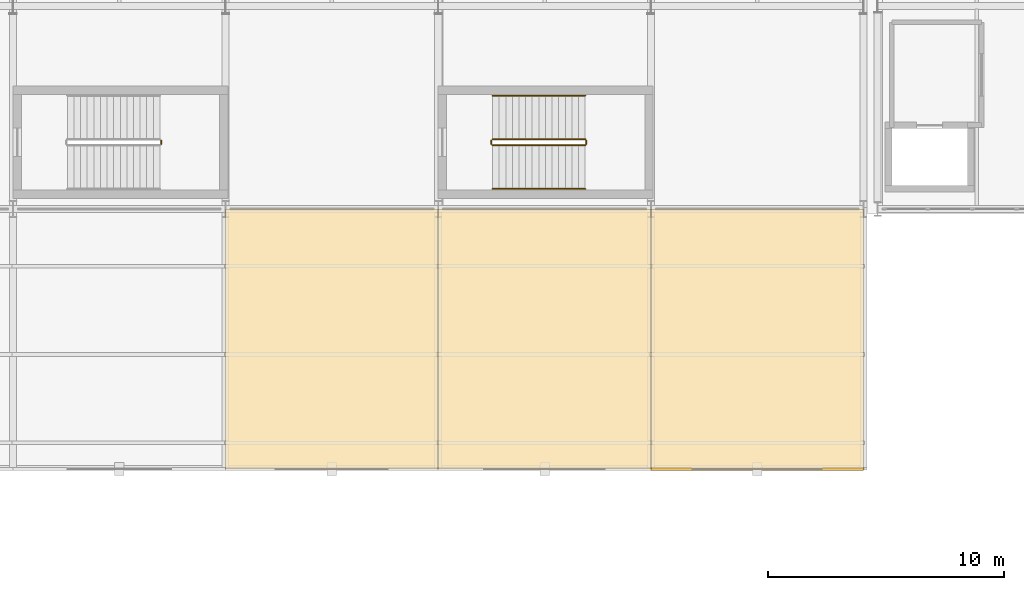
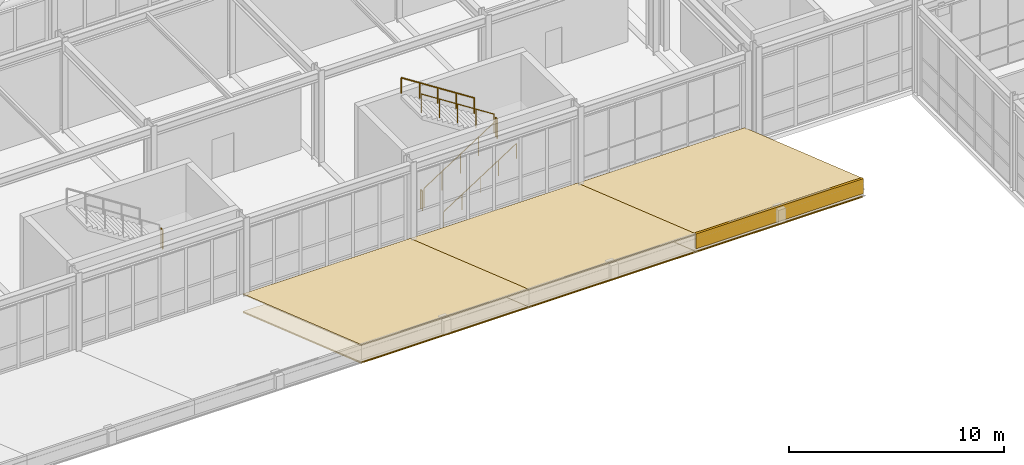
# One storey, part 224 of 239: 10 coverings, 7 railings.
"""IFC4 building model written with IfcOpenShell, lengths in metres."""

from ifc_helpers import new_model, si_unit, direction, frame, origin, origin_2d, place, context, subcontext, project, spatial, polyline, rectangle, circle, outline, extrude, material, layer, layer_set, type_object, element, save


model = new_model("IFC4")

# Units and contexts
model_context = context("Model", 3, precision=1e-05, world=origin(), true_north=direction((0.0, 1.0)))
body_context = subcontext(model_context, "Body", "Model", "MODEL_VIEW")
ifc_project = project(units=[si_unit("LENGTHUNIT", "METRE"), si_unit("AREAUNIT", "SQUARE_METRE"), si_unit("VOLUMEUNIT", "CUBIC_METRE"), si_unit("PLANEANGLEUNIT", "RADIAN"), si_unit("MASSUNIT", "GRAM", prefix="KILO")], contexts=[model_context])

# Site, building, storey
site_placement = place(None, origin())
site = spatial("IfcSite", under=ifc_project, at=site_placement, CompositionType="ELEMENT")
building_placement = place(site_placement, origin())
building = spatial("IfcBuilding", under=site, at=building_placement, Name="Kaldris Quays Convention Centre", CompositionType="ELEMENT")
storey_placement = place(building_placement, frame((0.0, 0.0, 11.39990234375)))
storey = spatial("IfcBuildingStorey", under=building, at=storey_placement, Name="L02", CompositionType="ELEMENT", Elevation=11.39990234375)

# Coverings
ifc_material_1 = material(Name="Alabaster white star-pierced anodized aluminium panel", Category="aluminium")
ifc_layer_1 = layer(ifc_material_1, 0.054931640625)
ifc_layer_set_1 = layer_set([ifc_layer_1], Name="Alabaster white star-pierced anodized aluminium panel")
covering_type_1 = type_object("IfcCoveringType", Name="ALABASTER WHITE STANDING SEAM ROOF SRF1", PredefinedType="ROOFING", material=ifc_layer_set_1)
for number, where, z_axis, x_axis, name in (
    (1, (119.0, 27.0, 4.642578125), (0.0, 0.325567686474, 0.945518736739), (1.0, 0.0, 0.0), "WR-SOUTH-ENTRY Alabaster White Raised Wing Top Cladding 14"),
    (2, (128.0, 27.0, 4.642578125), (0.0, 0.325567686474, 0.945518736739), (1.0, 0.0, 0.0), "WR-SOUTH-ENTRY Alabaster White Raised Wing Top Cladding 15"),
    (3, (137.0, 27.0, 4.642578125), (0.0, 0.325567686474, 0.945518736739), (1.0, 0.0, 0.0), "WR-SOUTH-ENTRY Alabaster White Raised Wing Top Cladding 16"),
):
    element("IfcCovering", number, at=place(storey_placement, frame(where, z_axis=z_axis, x_axis=x_axis)), inside=storey, type_object=covering_type_1, Name=name, PredefinedType="ROOFING", context=body_context, shape_type="SweptSolid", body=[
        extrude(outline(polyline([(0.0, 0.0), (9.0, 0.0), (9.0, 11.633825510365472), (0.0, 11.633825510365472), (0.0, 0.0)])), origin(), (0.0, 0.0, -1.0), 0.054931640625),
    ])
ifc_material_2 = material(Name="Glulam GL28h", Category="wood")
ifc_layer_2 = layer(ifc_material_2, 0.0400390625)
ifc_layer_set_2 = layer_set([ifc_layer_2], Name="Glulam GL28h")
covering_type_2 = type_object("IfcCoveringType", Name="GLULAM WING SOFFIT TRIM SF02", PredefinedType="CEILING", material=ifc_layer_set_2)
for number, where, z_axis, x_axis, name in (
    (4, (119.0, 27.0, 3.600341796875), (0.0, 0.325567686474, 0.945518736739), (1.0, 0.0, 0.0), "WR-SOUTH-ENTRY Glulam GL28h Wing Soffit Trim 14"),
    (5, (128.0, 27.0, 3.600341796875), (0.0, 0.325567686474, 0.945518736739), (1.0, 0.0, 0.0), "WR-SOUTH-ENTRY Glulam GL28h Wing Soffit Trim 15"),
    (6, (137.0, 27.0, 3.600341796875), (0.0, 0.325567686474, 0.945518736739), (1.0, 0.0, 0.0), "WR-SOUTH-ENTRY Glulam GL28h Wing Soffit Trim 16"),
):
    element("IfcCovering", number, at=place(storey_placement, frame(where, z_axis=z_axis, x_axis=x_axis)), inside=storey, type_object=covering_type_2, Name=name, PredefinedType="CEILING", context=body_context, shape_type="SweptSolid", body=[
        extrude(outline(polyline([(0.0, 0.0), (9.0, 0.0), (9.0, 11.633825510365472), (0.0, 11.633825510365472), (0.0, 0.0)])), origin(), (0.0, 0.0, -1.0), 0.0400390625),
    ])

# Railings
ifc_material_3 = material(Name="Steel S355J2", Category="steel")
railing_type_1 = type_object("IfcRailingType", Name="INTERIOR GUARDRAIL GR01", PredefinedType="GUARDRAIL", material=ifc_material_3)
railing_1_placement = place(storey_placement, frame((130.300048828125, 40.699951171875, 0.18017578125)))
element("IfcRailing", 7, at=railing_1_placement, inside=storey, type_object=railing_type_1, Name="L02 ST12 Stair Guardrail 1", PredefinedType="GUARDRAIL", context=body_context, shape_type="SweptSolid", body=[
    extrude(circle(Radius=0.02392578125, at=origin_2d()), frame((0.0, 0.0, 1.076171875), z_axis=(0.841171666519, 0.0, 0.540768182723), x_axis=(0.0, 1.0, 0.0)), (0.0, 0.0, 1.0), 4.66015625),
    extrude(circle(Radius=0.02099609375, at=origin_2d()), origin(), (0.0, 0.0, 1.0), 1.052001953125),
    extrude(circle(Radius=0.02099609375, at=origin_2d()), frame((0.97998046875, 0.0, 0.6298828125)), (0.0, 0.0, 1.0), 1.052001953125),
    extrude(circle(Radius=0.02099609375, at=origin_2d()), frame((1.9599609375, 0.0, 1.260009765625)), (0.0, 0.0, 1.0), 1.052001953125),
    extrude(circle(Radius=0.02099609375, at=origin_2d()), frame((2.93994140625, 0.0, 1.89013671875)), (0.0, 0.0, 1.0), 1.052001953125),
    extrude(circle(Radius=0.02099609375, at=origin_2d()), frame((3.919921875, 0.0, 2.52001953125)), (0.0, 0.0, 1.0), 1.052001953125),
])
railing_2_placement = place(storey_placement, frame((134.27001953125, 40.75, 2.7001953125)))
element("IfcRailing", 8, at=railing_2_placement, inside=storey, type_object=railing_type_1, Name="L02 ST12 Stair Guardrail 2", PredefinedType="GUARDRAIL", context=body_context, shape_type="SweptSolid", body=[
    extrude(circle(Radius=0.02392578125, at=origin_2d()), frame((0.0, 0.0, 1.076171875), z_axis=(0.0, 1.0, 0.0), x_axis=(-1.0, 0.0, 0.0)), (0.0, 0.0, 1.0), 0.14990234375),
    extrude(circle(Radius=0.02099609375, at=origin_2d()), origin(), (0.0, 0.0, 1.0), 1.052001953125),
    extrude(circle(Radius=0.02099609375, at=origin_2d()), frame((0.0, 0.14990234375, 0.0)), (0.0, 0.0, 1.0), 1.052001953125),
])
railing_3_placement = place(storey_placement, frame((134.219970703125, 40.949951171875, 2.880126953125)))
element("IfcRailing", 9, at=railing_3_placement, inside=storey, type_object=railing_type_1, Name="L02 ST12 Stair Guardrail 3", PredefinedType="GUARDRAIL", context=body_context, shape_type="SweptSolid", body=[
    extrude(circle(Radius=0.02392578125, at=origin_2d()), frame((0.0, 0.0, 1.076171875), z_axis=(-0.841171666519, 0.0, 0.540768182723), x_axis=(0.0, -1.0, 0.0)), (0.0, 0.0, 1.0), 4.66015625),
    extrude(circle(Radius=0.02099609375, at=origin_2d()), origin(), (0.0, 0.0, 1.0), 1.052001953125),
    extrude(circle(Radius=0.02099609375, at=origin_2d()), frame((-0.97998046875, 0.0, 0.6298828125)), (0.0, 0.0, 1.0), 1.052001953125),
    extrude(circle(Radius=0.02099609375, at=origin_2d()), frame((-1.9599609375, 0.0, 1.260009765625)), (0.0, 0.0, 1.0), 1.052001953125),
    extrude(circle(Radius=0.02099609375, at=origin_2d()), frame((-2.93994140625, 0.0, 1.89013671875)), (0.0, 0.0, 1.0), 1.052001953125),
    extrude(circle(Radius=0.02099609375, at=origin_2d()), frame((-3.919921875, 0.0, 2.52001953125)), (0.0, 0.0, 1.0), 1.052001953125),
])
for number, where, name in (
    (10, (130.25, 40.75, 0.0), "L02 ST12 Stair Guardrail 4"),
    (11, (116.27001953125, 40.75, 2.7001953125), "L02 ST13 Stair Guardrail 2"),
):
    element("IfcRailing", number, at=place(storey_placement, frame(where)), inside=storey, type_object=railing_type_1, Name=name, PredefinedType="GUARDRAIL", context=body_context, shape_type="SweptSolid", body=[
        extrude(circle(Radius=0.02392578125, at=origin_2d()), frame((0.0, 0.0, 1.076171875), z_axis=(0.0, 1.0, 0.0), x_axis=(-1.0, 0.0, 0.0)), (0.0, 0.0, 1.0), 0.14990234375),
        extrude(circle(Radius=0.02099609375, at=origin_2d()), origin(), (0.0, 0.0, 1.0), 1.052001953125),
        extrude(circle(Radius=0.02099609375, at=origin_2d()), frame((0.0, 0.14990234375, 0.0)), (0.0, 0.0, 1.0), 1.052001953125),
    ])
ifc_material_4 = material(Name="Stainless steel 1.4301", Category="steel")
railing_type_2 = type_object("IfcRailingType", Name="STAIR HANDRAIL HR01", PredefinedType="HANDRAIL", material=ifc_material_4)
railing_4_placement = place(storey_placement, frame((130.300048828125, 38.85009765625, 0.18017578125)))
element("IfcRailing", 12, at=railing_4_placement, inside=storey, type_object=railing_type_2, Name="L02 ST12 Flight Handrail 1", PredefinedType="HANDRAIL", context=body_context, shape_type="SweptSolid", body=[
    extrude(circle(Radius=0.02392578125, at=origin_2d()), frame((0.0, 0.0, 0.8759765625), z_axis=(0.841171666519, 0.0, 0.540768182723), x_axis=(0.0, 1.0, 0.0)), (0.0, 0.0, 1.0), 4.66015625),
    extrude(circle(Radius=0.02099609375, at=origin_2d()), origin(), (0.0, 0.0, 1.0), 0.851806640625),
    extrude(circle(Radius=0.02099609375, at=origin_2d()), frame((0.97998046875, 0.0, 0.6298828125)), (0.0, 0.0, 1.0), 0.851806640625),
    extrude(circle(Radius=0.02099609375, at=origin_2d()), frame((1.9599609375, 0.0, 1.260009765625)), (0.0, 0.0, 1.0), 0.851806640625),
    extrude(circle(Radius=0.02099609375, at=origin_2d()), frame((2.93994140625, 0.0, 1.89013671875)), (0.0, 0.0, 1.0), 0.851806640625),
    extrude(circle(Radius=0.02099609375, at=origin_2d()), frame((3.919921875, 0.0, 2.52001953125)), (0.0, 0.0, 1.0), 0.851806640625),
])
railing_5_placement = place(storey_placement, frame((134.219970703125, 42.800048828125, 2.880126953125)))
element("IfcRailing", 13, at=railing_5_placement, inside=storey, type_object=railing_type_2, Name="L02 ST12 Flight Handrail 2", PredefinedType="HANDRAIL", context=body_context, shape_type="SweptSolid", body=[
    extrude(circle(Radius=0.02392578125, at=origin_2d()), frame((0.0, 0.0, 0.8759765625), z_axis=(-0.841171666519, 0.0, 0.540768182723), x_axis=(0.0, -1.0, 0.0)), (0.0, 0.0, 1.0), 4.66015625),
    extrude(circle(Radius=0.02099609375, at=origin_2d()), origin(), (0.0, 0.0, 1.0), 0.851806640625),
    extrude(circle(Radius=0.02099609375, at=origin_2d()), frame((-0.97998046875, 0.0, 0.6298828125)), (0.0, 0.0, 1.0), 0.851806640625),
    extrude(circle(Radius=0.02099609375, at=origin_2d()), frame((-1.9599609375, 0.0, 1.260009765625)), (0.0, 0.0, 1.0), 0.851806640625),
    extrude(circle(Radius=0.02099609375, at=origin_2d()), frame((-2.93994140625, 0.0, 1.89013671875)), (0.0, 0.0, 1.0), 0.851806640625),
    extrude(circle(Radius=0.02099609375, at=origin_2d()), frame((-3.919921875, 0.0, 2.52001953125)), (0.0, 0.0, 1.0), 0.851806640625),
])

# Coverings
ifc_layer_3 = layer(ifc_material_1, 0.044921875)
ifc_layer_set_3 = layer_set([ifc_layer_3], Name="Alabaster white star-pierced anodized aluminium panel")
covering_type_3 = type_object("IfcCoveringType", Name="STAR PIERCED WHITE FOLDED SCREEN CL01", PredefinedType="CLADDING", material=ifc_layer_set_3)
covering_placement = place(storey_placement, frame((141.5, 27.0, 3.812744140625), z_axis=(0.0, 0.0, 1.0), x_axis=(1.0, 0.0, 0.0)))
element("IfcCovering", 14, at=covering_placement, inside=storey, type_object=covering_type_3, Name="WR-SOUTH-ENTRY Alabaster White Wing Leading Fascia 16", PredefinedType="CLADDING", context=body_context, shape_type="SweptSolid", body=[
    extrude(rectangle(XDim=9.0, YDim=0.1201171875, at=origin_2d()), origin(), (0.0, 0.0, 1.0), 0.85009765625),
])
ifc_layer_4 = layer(ifc_material_1, 0.034912109375)
ifc_layer_set_4 = layer_set([ifc_layer_4], Name="Alabaster white star-pierced anodized aluminium panel")
covering_type_4 = type_object("IfcCoveringType", Name="STAR PIERCED WHITE WING SOFFIT SF01", PredefinedType="CEILING", material=ifc_layer_set_4)
for number, where, z_axis, x_axis, name in (
    (15, (119.0, 27.0, 3.6455078125), (0.0, 0.325567686474, 0.945518736739), (1.0, 0.0, 0.0), "WR-SOUTH-ENTRY Star-Pierced White Wing Soffit 14"),
    (16, (128.0, 27.0, 3.6455078125), (0.0, 0.325567686474, 0.945518736739), (1.0, 0.0, 0.0), "WR-SOUTH-ENTRY Star-Pierced White Wing Soffit 15"),
    (17, (137.0, 27.0, 3.6455078125), (0.0, 0.325567686474, 0.945518736739), (1.0, 0.0, 0.0), "WR-SOUTH-ENTRY Star-Pierced White Wing Soffit 16"),
):
    element("IfcCovering", number, at=place(storey_placement, frame(where, z_axis=z_axis, x_axis=x_axis)), inside=storey, type_object=covering_type_4, Name=name, PredefinedType="CEILING", context=body_context, shape_type="SweptSolid", body=[
        extrude(outline(polyline([(0.0, 0.0), (9.0, 0.0), (9.0, 11.633825510365472), (0.0, 11.633825510365472), (0.0, 0.0)])), origin(), (0.0, 0.0, -1.0), 0.044921875),
    ])

save(model, "model.ifc")
